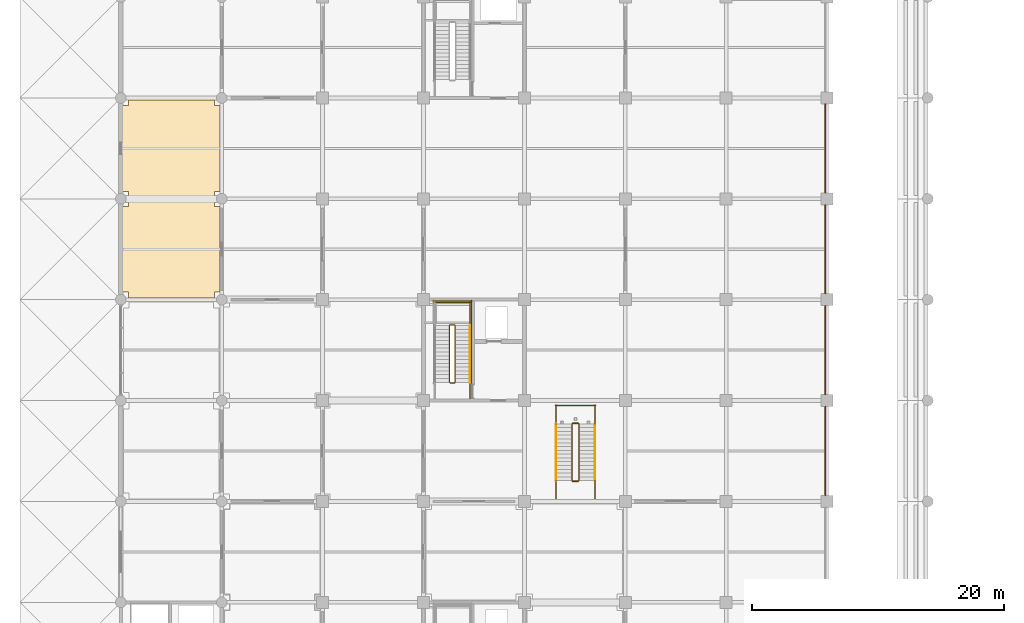
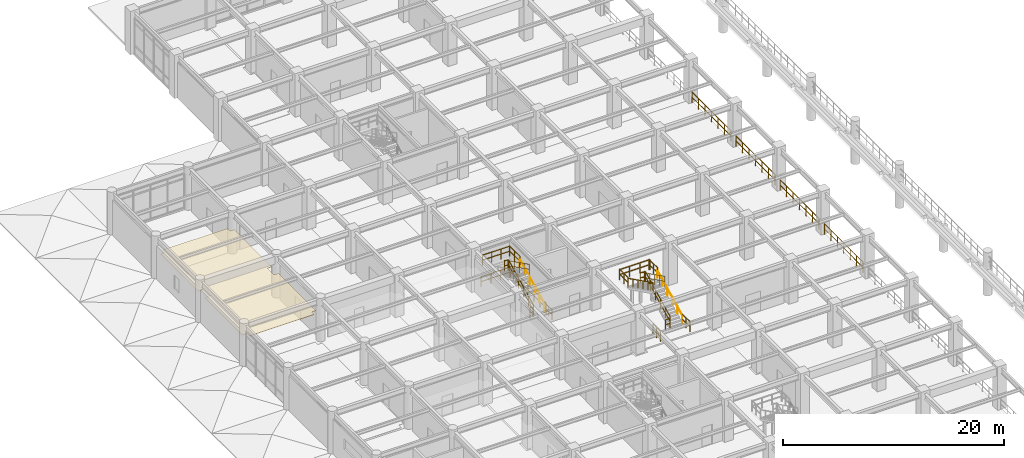
# One storey, part 98 of 109: 25 railings, 1 covering.
"""IFC4 building model written with IfcOpenShell, lengths in metres."""

from ifc_helpers import new_model, si_unit, direction, frame, origin, origin_2d, place, context, subcontext, project, spatial, polyline, circle, outline, extrude, material, layer, layer_set, type_object, element, save


model = new_model("IFC4")

# Units and contexts
model_context = context("Model", 3, precision=1e-05, world=origin(), true_north=direction((0.0, 1.0)))
body_context = subcontext(model_context, "Body", "Model", "MODEL_VIEW")
ifc_project = project(units=[si_unit("LENGTHUNIT", "METRE"), si_unit("AREAUNIT", "SQUARE_METRE"), si_unit("VOLUMEUNIT", "CUBIC_METRE"), si_unit("PLANEANGLEUNIT", "RADIAN"), si_unit("MASSUNIT", "GRAM", prefix="KILO")], contexts=[model_context])

# Site, building, storey
site_placement = place(None, origin())
site = spatial("IfcSite", under=ifc_project, at=site_placement, CompositionType="ELEMENT")
building_placement = place(site_placement, origin())
building = spatial("IfcBuilding", under=site, at=building_placement, Name="Haebicheon Civic Stadium", CompositionType="ELEMENT")
storey_placement = place(building_placement, frame((0.0, 0.0, 9.60009765625)))
storey = spatial("IfcBuildingStorey", under=building, at=storey_placement, Name="L03", CompositionType="ELEMENT", Elevation=9.60009765625)

# Covering
ifc_material_1 = material(Name="Perforated mineral-fibre acoustic board", Category="gypsum")
ifc_layer = layer(ifc_material_1, 0.0400390625, Name="Perforated mineral-fibre acoustic board")
ifc_layer_set = layer_set([ifc_layer], Name="Perforated mineral-fibre acoustic board")
covering_type = type_object("IfcCoveringType", Name="COV-CLG-AC", PredefinedType="CEILING", material=ifc_layer_set)
covering_placement = place(storey_placement, frame((0.0, 0.0, 2.809814453125)))
element("IfcCovering", 1, at=covering_placement, inside=storey, type_object=covering_type, material=ifc_layer_set, Name="L03 West Boulevard Viewing Gallery acoustic ceiling", PredefinedType="CEILING", context=body_context, shape_type="SweptSolid", body=[
    extrude(outline(polyline([(8.594970703125, 112.14501953125), (8.594970703125, 112.594970703125), (8.14501953125, 112.594970703125), (8.14501953125, 119.405029296875), (8.594970703125, 119.405029296875), (8.594970703125, 120.594970703125), (8.14501953125, 120.594970703125), (8.14501953125, 127.405029296875), (8.594970703125, 127.405029296875), (8.594970703125, 127.85498046875), (15.405029296875, 127.85498046875), (15.405029296875, 127.405029296875), (15.85498046875, 127.405029296875), (15.85498046875, 120.594970703125), (15.405029296875, 120.594970703125), (15.405029296875, 119.405029296875), (15.85498046875, 119.405029296875), (15.85498046875, 112.594970703125), (15.405029296875, 112.594970703125), (15.405029296875, 112.14501953125), (8.594970703125, 112.14501953125)])), origin(), (0.0, 0.0, 1.0), 0.0400390625),
])

# Railings
ifc_material_2 = material(Name="Stainless steel 316 and laminated glass", Category="steel")
railing_type_1 = type_object("IfcRailingType", Name="RL-BAL-1200", PredefinedType="BALUSTRADE", material=ifc_material_2)
for number, where, name in (
    (2, (63.860107421875, 96.47509765625, 0.0), "L03 concourse bowl-edge balustrade 049"),
    (3, (63.860107421875, 104.47509765625, 0.0), "L03 concourse bowl-edge balustrade 050"),
    (4, (63.860107421875, 112.47509765625, 0.0), "L03 concourse bowl-edge balustrade 051"),
    (5, (63.860107421875, 120.47509765625, 0.0), "L03 concourse bowl-edge balustrade 052"),
):
    element("IfcRailing", number, at=place(storey_placement, frame(where)), inside=storey, type_object=railing_type_1, material=ifc_material_2, Name=name, PredefinedType="BALUSTRADE", context=body_context, shape_type="SweptSolid", body=[
        extrude(circle(Radius=0.02392578125, at=origin_2d()), frame((0.0, 0.0, 1.17578125), z_axis=(0.0, 1.0, 0.0), x_axis=(-1.0, 0.0, 0.0)), (0.0, 0.0, 1.0), 7.0498046875),
        extrude(circle(Radius=0.02392578125, at=origin_2d()), frame((0.0, 0.0, 0.60009765625), z_axis=(0.0, 1.0, 0.0), x_axis=(-1.0, 0.0, 0.0)), (0.0, 0.0, 1.0), 7.0498046875),
        extrude(circle(Radius=0.02099609375, at=origin_2d()), origin(), (0.0, 0.0, 1.0), 1.15185546875),
        extrude(circle(Radius=0.02099609375, at=origin_2d()), frame((0.0, 1.175048828125, 0.0)), (0.0, 0.0, 1.0), 1.15185546875),
        extrude(circle(Radius=0.02099609375, at=origin_2d()), frame((0.0, 2.349853515625, 0.0)), (0.0, 0.0, 1.0), 1.15185546875),
        extrude(circle(Radius=0.02099609375, at=origin_2d()), frame((0.0, 3.52490234375, 0.0)), (0.0, 0.0, 1.0), 1.15185546875),
        extrude(circle(Radius=0.02099609375, at=origin_2d()), frame((0.0, 4.699951171875, 0.0)), (0.0, 0.0, 1.0), 1.15185546875),
        extrude(circle(Radius=0.02099609375, at=origin_2d()), frame((0.0, 5.874755859375, 0.0)), (0.0, 0.0, 1.0), 1.15185546875),
        extrude(circle(Radius=0.02099609375, at=origin_2d()), frame((0.0, 7.0498046875, 0.0)), (0.0, 0.0, 1.0), 1.15185546875),
    ])
ifc_material_3 = material(Name="Galvanised painted steel SM355", Category="steel")
railing_type_2 = type_object("IfcRailingType", Name="RL-GRD-1150", PredefinedType="GUARDRAIL", material=ifc_material_3)
railing_1_placement = place(storey_placement, frame((34.510009765625, 105.449951171875, 0.14990234375)))
element("IfcRailing", 6, at=railing_1_placement, inside=storey, type_object=railing_type_2, material=ifc_material_3, Name="L03 ST-04 stair guard 1", PredefinedType="GUARDRAIL", context=body_context, shape_type="SweptSolid", body=[
    extrude(circle(Radius=0.02392578125, at=origin_2d()), frame((0.0, 0.0, 1.1259765625), z_axis=(0.0, 0.894427191, 0.4472135955), x_axis=(-1.0, 0.0, 0.0)), (0.0, 0.0, 1.0), 5.03125),
    extrude(circle(Radius=0.02392578125, at=origin_2d()), frame((0.0, 0.0, 0.574951171875), z_axis=(0.0, 0.894427191, 0.4472135955), x_axis=(-1.0, 0.0, 0.0)), (0.0, 0.0, 1.0), 5.03125),
    extrude(circle(Radius=0.02099609375, at=origin_2d()), origin(), (0.0, 0.0, 1.0), 1.101806640625),
    extrude(circle(Radius=0.02099609375, at=origin_2d()), frame((0.0, 0.89990234375, 0.449951171875)), (0.0, 0.0, 1.0), 1.101806640625),
    extrude(circle(Radius=0.02099609375, at=origin_2d()), frame((0.0, 1.800048828125, 0.89990234375)), (0.0, 0.0, 1.0), 1.101806640625),
    extrude(circle(Radius=0.02099609375, at=origin_2d()), frame((0.0, 2.699951171875, 1.35009765625)), (0.0, 0.0, 1.0), 1.101806640625),
    extrude(circle(Radius=0.02099609375, at=origin_2d()), frame((0.0, 3.60009765625, 1.800048828125)), (0.0, 0.0, 1.0), 1.101806640625),
    extrude(circle(Radius=0.02099609375, at=origin_2d()), frame((0.0, 4.5, 2.25)), (0.0, 0.0, 1.0), 1.101806640625),
])
railing_2_placement = place(storey_placement, frame((34.4599609375, 110.0, 2.39990234375)))
element("IfcRailing", 7, at=railing_2_placement, inside=storey, type_object=railing_type_2, material=ifc_material_3, Name="L03 ST-04 stair guard 2", PredefinedType="GUARDRAIL", context=body_context, shape_type="SweptSolid", body=[
    extrude(circle(Radius=0.02392578125, at=origin_2d()), frame((0.0, 0.0, 1.1259765625), z_axis=(-1.0, 0.0, 0.0), x_axis=(0.0, -1.0, 0.0)), (0.0, 0.0, 1.0), 0.33984375),
    extrude(circle(Radius=0.02392578125, at=origin_2d()), frame((0.0, 0.0, 0.574951171875), z_axis=(-1.0, 0.0, 0.0), x_axis=(0.0, -1.0, 0.0)), (0.0, 0.0, 1.0), 0.33984375),
    extrude(circle(Radius=0.02099609375, at=origin_2d()), origin(), (0.0, 0.0, 1.0), 1.101806640625),
    extrude(circle(Radius=0.02099609375, at=origin_2d()), frame((-0.33984375, 0.0, 0.0)), (0.0, 0.0, 1.0), 1.101806640625),
])
railing_3_placement = place(storey_placement, frame((35.68994140625, 109.949951171875, 2.39990234375)))
element("IfcRailing", 8, at=railing_3_placement, inside=storey, type_object=railing_type_2, material=ifc_material_3, Name="L03 ST-04 stair guard 3", PredefinedType="GUARDRAIL", context=body_context, shape_type="SweptSolid", body=[
    extrude(circle(Radius=0.02392578125, at=origin_2d()), frame((0.0, 0.0, 1.1259765625), z_axis=(0.0, 1.0, 0.0), x_axis=(-1.0, 0.0, 0.0)), (0.0, 0.0, 1.0), 1.89013671875),
    extrude(circle(Radius=0.02392578125, at=origin_2d()), frame((0.0, 0.0, 0.574951171875), z_axis=(0.0, 1.0, 0.0), x_axis=(-1.0, 0.0, 0.0)), (0.0, 0.0, 1.0), 1.89013671875),
    extrude(circle(Radius=0.02099609375, at=origin_2d()), origin(), (0.0, 0.0, 1.0), 1.101806640625),
    extrude(circle(Radius=0.02099609375, at=origin_2d()), frame((0.0, 0.945068359375, 0.0)), (0.0, 0.0, 1.0), 1.101806640625),
    extrude(circle(Radius=0.02099609375, at=origin_2d()), frame((0.0, 1.89013671875, 0.0)), (0.0, 0.0, 1.0), 1.101806640625),
])
railing_4_placement = place(storey_placement, frame((35.739990234375, 111.7900390625, 2.39990234375)))
element("IfcRailing", 9, at=railing_4_placement, inside=storey, type_object=railing_type_2, material=ifc_material_3, Name="L03 ST-04 stair guard 5", PredefinedType="GUARDRAIL", context=body_context, shape_type="SweptSolid", body=[
    extrude(circle(Radius=0.02392578125, at=origin_2d()), frame((0.0, 0.0, 1.1259765625), z_axis=(-1.0, 0.0, 0.0), x_axis=(0.0, -1.0, 0.0)), (0.0, 0.0, 1.0), 2.89990234375),
    extrude(circle(Radius=0.02392578125, at=origin_2d()), frame((0.0, 0.0, 0.574951171875), z_axis=(-1.0, 0.0, 0.0), x_axis=(0.0, -1.0, 0.0)), (0.0, 0.0, 1.0), 2.89990234375),
    extrude(circle(Radius=0.02099609375, at=origin_2d()), origin(), (0.0, 0.0, 1.0), 1.101806640625),
    extrude(circle(Radius=0.02099609375, at=origin_2d()), frame((-0.966552734375, 0.0, 0.0)), (0.0, 0.0, 1.0), 1.101806640625),
    extrude(circle(Radius=0.02099609375, at=origin_2d()), frame((-1.933349609375, 0.0, 0.0)), (0.0, 0.0, 1.0), 1.101806640625),
    extrude(circle(Radius=0.02099609375, at=origin_2d()), frame((-2.89990234375, 0.0, 0.0)), (0.0, 0.0, 1.0), 1.101806640625),
])
railing_5_placement = place(storey_placement, frame((34.070068359375, 109.949951171875, 2.5498046875)))
element("IfcRailing", 10, at=railing_5_placement, inside=storey, type_object=railing_type_2, material=ifc_material_3, Name="L03 ST-04 stair guard 6", PredefinedType="GUARDRAIL", context=body_context, shape_type="SweptSolid", body=[
    extrude(circle(Radius=0.02392578125, at=origin_2d()), frame((0.0, 0.0, 1.1259765625), z_axis=(0.0, -0.894427191, 0.4472135955), x_axis=(1.0, 0.0, 0.0)), (0.0, 0.0, 1.0), 5.03125),
    extrude(circle(Radius=0.02392578125, at=origin_2d()), frame((0.0, 0.0, 0.574951171875), z_axis=(0.0, -0.894427191, 0.4472135955), x_axis=(1.0, 0.0, 0.0)), (0.0, 0.0, 1.0), 5.03125),
    extrude(circle(Radius=0.02099609375, at=origin_2d()), origin(), (0.0, 0.0, 1.0), 1.101806640625),
    extrude(circle(Radius=0.02099609375, at=origin_2d()), frame((0.0, -0.89990234375, 0.449951171875)), (0.0, 0.0, 1.0), 1.101806640625),
    extrude(circle(Radius=0.02099609375, at=origin_2d()), frame((0.0, -1.800048828125, 0.89990234375)), (0.0, 0.0, 1.0), 1.101806640625),
    extrude(circle(Radius=0.02099609375, at=origin_2d()), frame((0.0, -2.699951171875, 1.35009765625)), (0.0, 0.0, 1.0), 1.101806640625),
    extrude(circle(Radius=0.02099609375, at=origin_2d()), frame((0.0, -3.60009765625, 1.800048828125)), (0.0, 0.0, 1.0), 1.101806640625),
    extrude(circle(Radius=0.02099609375, at=origin_2d()), frame((0.0, -4.5, 2.25)), (0.0, 0.0, 1.0), 1.101806640625),
])
railing_6_placement = place(storey_placement, frame((34.4599609375, 105.39990234375, 0.0)))
element("IfcRailing", 11, at=railing_6_placement, inside=storey, type_object=railing_type_2, material=ifc_material_3, Name="L03 ST-04 stair guard 7", PredefinedType="GUARDRAIL", context=body_context, shape_type="SweptSolid", body=[
    extrude(circle(Radius=0.02392578125, at=origin_2d()), frame((0.0, 0.0, 1.1259765625), z_axis=(-1.0, 0.0, 0.0), x_axis=(0.0, -1.0, 0.0)), (0.0, 0.0, 1.0), 0.33984375),
    extrude(circle(Radius=0.02392578125, at=origin_2d()), frame((0.0, 0.0, 0.574951171875), z_axis=(-1.0, 0.0, 0.0), x_axis=(0.0, -1.0, 0.0)), (0.0, 0.0, 1.0), 0.33984375),
    extrude(circle(Radius=0.02099609375, at=origin_2d()), origin(), (0.0, 0.0, 1.0), 1.101806640625),
    extrude(circle(Radius=0.02099609375, at=origin_2d()), frame((-0.33984375, 0.0, 0.0)), (0.0, 0.0, 1.0), 1.101806640625),
])
railing_7_placement = place(storey_placement, frame((35.68994140625, 104.159912109375, 0.0)))
element("IfcRailing", 12, at=railing_7_placement, inside=storey, type_object=railing_type_2, material=ifc_material_3, Name="L03 ST-04 stair guard 8", PredefinedType="GUARDRAIL", context=body_context, shape_type="SweptSolid", body=[
    extrude(circle(Radius=0.02392578125, at=origin_2d()), frame((0.0, 0.0, 1.1259765625), z_axis=(0.0, 1.0, 0.0), x_axis=(-1.0, 0.0, 0.0)), (0.0, 0.0, 1.0), 1.2900390625),
    extrude(circle(Radius=0.02392578125, at=origin_2d()), frame((0.0, 0.0, 0.574951171875), z_axis=(0.0, 1.0, 0.0), x_axis=(-1.0, 0.0, 0.0)), (0.0, 0.0, 1.0), 1.2900390625),
    extrude(circle(Radius=0.02099609375, at=origin_2d()), origin(), (0.0, 0.0, 1.0), 1.101806640625),
    extrude(circle(Radius=0.02099609375, at=origin_2d()), frame((0.0, 0.64501953125, 0.0)), (0.0, 0.0, 1.0), 1.101806640625),
    extrude(circle(Radius=0.02099609375, at=origin_2d()), frame((0.0, 1.2900390625, 0.0)), (0.0, 0.0, 1.0), 1.101806640625),
])
railing_8_placement = place(storey_placement, frame((35.7900390625, 105.35009765625, 0.0)))
element("IfcRailing", 13, at=railing_8_placement, inside=storey, type_object=railing_type_2, material=ifc_material_3, Name="L03 ST-04 stair guard 10", PredefinedType="GUARDRAIL", context=body_context, shape_type="SweptSolid", body=[
    extrude(circle(Radius=0.02392578125, at=origin_2d()), frame((0.0, 0.0, 1.1259765625), z_axis=(0.0, 1.0, 0.0), x_axis=(-1.0, 0.0, 0.0)), (0.0, 0.0, 1.0), 6.58984375),
    extrude(circle(Radius=0.02392578125, at=origin_2d()), frame((0.0, 0.0, 0.574951171875), z_axis=(0.0, 1.0, 0.0), x_axis=(-1.0, 0.0, 0.0)), (0.0, 0.0, 1.0), 6.58984375),
    extrude(circle(Radius=0.02099609375, at=origin_2d()), origin(), (0.0, 0.0, 1.0), 1.101806640625),
    extrude(circle(Radius=0.02099609375, at=origin_2d()), frame((0.0, 1.098388671875, 0.0)), (0.0, 0.0, 1.0), 1.101806640625),
    extrude(circle(Radius=0.02099609375, at=origin_2d()), frame((0.0, 2.196533203125, 0.0)), (0.0, 0.0, 1.0), 1.101806640625),
    extrude(circle(Radius=0.02099609375, at=origin_2d()), frame((0.0, 3.294921875, 0.0)), (0.0, 0.0, 1.0), 1.101806640625),
    extrude(circle(Radius=0.02099609375, at=origin_2d()), frame((0.0, 4.393310546875, 0.0)), (0.0, 0.0, 1.0), 1.101806640625),
    extrude(circle(Radius=0.02099609375, at=origin_2d()), frame((0.0, 5.491455078125, 0.0)), (0.0, 0.0, 1.0), 1.101806640625),
    extrude(circle(Radius=0.02099609375, at=origin_2d()), frame((0.0, 6.58984375, 0.0)), (0.0, 0.0, 1.0), 1.101806640625),
])
railing_9_placement = place(storey_placement, frame((35.840087890625, 111.889892578125, 0.0)))
element("IfcRailing", 14, at=railing_9_placement, inside=storey, type_object=railing_type_2, material=ifc_material_3, Name="L03 ST-04 stair guard 12", PredefinedType="GUARDRAIL", context=body_context, shape_type="SweptSolid", body=[
    extrude(circle(Radius=0.02392578125, at=origin_2d()), frame((0.0, 0.0, 1.1259765625), z_axis=(-1.0, 0.0, 0.0), x_axis=(0.0, -1.0, 0.0)), (0.0, 0.0, 1.0), 3.10009765625),
    extrude(circle(Radius=0.02392578125, at=origin_2d()), frame((0.0, 0.0, 0.574951171875), z_axis=(-1.0, 0.0, 0.0), x_axis=(0.0, -1.0, 0.0)), (0.0, 0.0, 1.0), 3.10009765625),
    extrude(circle(Radius=0.02099609375, at=origin_2d()), origin(), (0.0, 0.0, 1.0), 1.101806640625),
    extrude(circle(Radius=0.02099609375, at=origin_2d()), frame((-1.033447265625, 0.0, 0.0)), (0.0, 0.0, 1.0), 1.101806640625),
    extrude(circle(Radius=0.02099609375, at=origin_2d()), frame((-2.066650390625, 0.0, 0.0)), (0.0, 0.0, 1.0), 1.101806640625),
    extrude(circle(Radius=0.02099609375, at=origin_2d()), frame((-3.10009765625, 0.0, 0.0)), (0.0, 0.0, 1.0), 1.101806640625),
])
railing_10_placement = place(storey_placement, frame((44.330078125, 97.64990234375, 0.14990234375)))
element("IfcRailing", 15, at=railing_10_placement, inside=storey, type_object=railing_type_2, material=ifc_material_3, Name="L03 VM-05 stair guard 1", PredefinedType="GUARDRAIL", context=body_context, shape_type="SweptSolid", body=[
    extrude(circle(Radius=0.02392578125, at=origin_2d()), frame((0.0, 0.0, 1.1259765625), z_axis=(0.0, 0.894427191, 0.4472135955), x_axis=(-1.0, 0.0, 0.0)), (0.0, 0.0, 1.0), 5.03125),
    extrude(circle(Radius=0.02392578125, at=origin_2d()), frame((0.0, 0.0, 0.574951171875), z_axis=(0.0, 0.894427191, 0.4472135955), x_axis=(-1.0, 0.0, 0.0)), (0.0, 0.0, 1.0), 5.03125),
    extrude(circle(Radius=0.02099609375, at=origin_2d()), origin(), (0.0, 0.0, 1.0), 1.101806640625),
    extrude(circle(Radius=0.02099609375, at=origin_2d()), frame((0.0, 0.89990234375, 0.449951171875)), (0.0, 0.0, 1.0), 1.101806640625),
    extrude(circle(Radius=0.02099609375, at=origin_2d()), frame((0.0, 1.800048828125, 0.89990234375)), (0.0, 0.0, 1.0), 1.101806640625),
    extrude(circle(Radius=0.02099609375, at=origin_2d()), frame((0.0, 2.699951171875, 1.35009765625)), (0.0, 0.0, 1.0), 1.101806640625),
    extrude(circle(Radius=0.02099609375, at=origin_2d()), frame((0.0, 3.60009765625, 1.800048828125)), (0.0, 0.0, 1.0), 1.101806640625),
    extrude(circle(Radius=0.02099609375, at=origin_2d()), frame((0.0, 4.5, 2.25)), (0.0, 0.0, 1.0), 1.101806640625),
])
railing_11_placement = place(storey_placement, frame((44.280029296875, 102.199951171875, 2.39990234375)))
element("IfcRailing", 16, at=railing_11_placement, inside=storey, type_object=railing_type_2, material=ifc_material_3, Name="L03 VM-05 stair guard 2", PredefinedType="GUARDRAIL", context=body_context, shape_type="SweptSolid", body=[
    extrude(circle(Radius=0.02392578125, at=origin_2d()), frame((0.0, 0.0, 1.1259765625), z_axis=(-1.0, 0.0, 0.0), x_axis=(0.0, -1.0, 0.0)), (0.0, 0.0, 1.0), 0.4599609375),
    extrude(circle(Radius=0.02392578125, at=origin_2d()), frame((0.0, 0.0, 0.574951171875), z_axis=(-1.0, 0.0, 0.0), x_axis=(0.0, -1.0, 0.0)), (0.0, 0.0, 1.0), 0.4599609375),
    extrude(circle(Radius=0.02099609375, at=origin_2d()), origin(), (0.0, 0.0, 1.0), 1.101806640625),
    extrude(circle(Radius=0.02099609375, at=origin_2d()), frame((-0.4599609375, 0.0, 0.0)), (0.0, 0.0, 1.0), 1.101806640625),
])
for number, where, name in (
    (17, (45.590087890625, 102.14990234375, 2.39990234375), "L03 VM-05 stair guard 3"),
    (18, (42.510009765625, 102.14990234375, 2.39990234375), "L03 VM-05 stair guard 4"),
):
    element("IfcRailing", number, at=place(storey_placement, frame(where)), inside=storey, type_object=railing_type_2, material=ifc_material_3, Name=name, PredefinedType="GUARDRAIL", context=body_context, shape_type="SweptSolid", body=[
        extrude(circle(Radius=0.02392578125, at=origin_2d()), frame((0.0, 0.0, 1.1259765625), z_axis=(0.0, 1.0, 0.0), x_axis=(-1.0, 0.0, 0.0)), (0.0, 0.0, 1.0), 1.5),
        extrude(circle(Radius=0.02392578125, at=origin_2d()), frame((0.0, 0.0, 0.574951171875), z_axis=(0.0, 1.0, 0.0), x_axis=(-1.0, 0.0, 0.0)), (0.0, 0.0, 1.0), 1.5),
        extrude(circle(Radius=0.02099609375, at=origin_2d()), origin(), (0.0, 0.0, 1.0), 1.101806640625),
        extrude(circle(Radius=0.02099609375, at=origin_2d()), frame((0.0, 0.75, 0.0)), (0.0, 0.0, 1.0), 1.101806640625),
        extrude(circle(Radius=0.02099609375, at=origin_2d()), frame((0.0, 1.5, 0.0)), (0.0, 0.0, 1.0), 1.101806640625),
    ])
railing_12_placement = place(storey_placement, frame((45.639892578125, 103.60009765625, 2.39990234375)))
element("IfcRailing", 19, at=railing_12_placement, inside=storey, type_object=railing_type_2, material=ifc_material_3, Name="L03 VM-05 stair guard 5", PredefinedType="GUARDRAIL", context=body_context, shape_type="SweptSolid", body=[
    extrude(circle(Radius=0.02392578125, at=origin_2d()), frame((0.0, 0.0, 1.1259765625), z_axis=(-1.0, 0.0, 0.0), x_axis=(0.0, -1.0, 0.0)), (0.0, 0.0, 1.0), 3.179931640625),
    extrude(circle(Radius=0.02392578125, at=origin_2d()), frame((0.0, 0.0, 0.574951171875), z_axis=(-1.0, 0.0, 0.0), x_axis=(0.0, -1.0, 0.0)), (0.0, 0.0, 1.0), 3.179931640625),
    extrude(circle(Radius=0.02099609375, at=origin_2d()), origin(), (0.0, 0.0, 1.0), 1.101806640625),
    extrude(circle(Radius=0.02099609375, at=origin_2d()), frame((-1.06005859375, 0.0, 0.0)), (0.0, 0.0, 1.0), 1.101806640625),
    extrude(circle(Radius=0.02099609375, at=origin_2d()), frame((-2.119873046875, 0.0, 0.0)), (0.0, 0.0, 1.0), 1.101806640625),
    extrude(circle(Radius=0.02099609375, at=origin_2d()), frame((-3.179931640625, 0.0, 0.0)), (0.0, 0.0, 1.0), 1.101806640625),
])
railing_13_placement = place(storey_placement, frame((43.77001953125, 102.14990234375, 2.5498046875)))
element("IfcRailing", 20, at=railing_13_placement, inside=storey, type_object=railing_type_2, material=ifc_material_3, Name="L03 VM-05 stair guard 6", PredefinedType="GUARDRAIL", context=body_context, shape_type="SweptSolid", body=[
    extrude(circle(Radius=0.02392578125, at=origin_2d()), frame((0.0, 0.0, 1.1259765625), z_axis=(0.0, -0.894427191, 0.4472135955), x_axis=(1.0, 0.0, 0.0)), (0.0, 0.0, 1.0), 5.03125),
    extrude(circle(Radius=0.02392578125, at=origin_2d()), frame((0.0, 0.0, 0.574951171875), z_axis=(0.0, -0.894427191, 0.4472135955), x_axis=(1.0, 0.0, 0.0)), (0.0, 0.0, 1.0), 5.03125),
    extrude(circle(Radius=0.02099609375, at=origin_2d()), origin(), (0.0, 0.0, 1.0), 1.101806640625),
    extrude(circle(Radius=0.02099609375, at=origin_2d()), frame((0.0, -0.89990234375, 0.449951171875)), (0.0, 0.0, 1.0), 1.101806640625),
    extrude(circle(Radius=0.02099609375, at=origin_2d()), frame((0.0, -1.800048828125, 0.89990234375)), (0.0, 0.0, 1.0), 1.101806640625),
    extrude(circle(Radius=0.02099609375, at=origin_2d()), frame((0.0, -2.699951171875, 1.35009765625)), (0.0, 0.0, 1.0), 1.101806640625),
    extrude(circle(Radius=0.02099609375, at=origin_2d()), frame((0.0, -3.60009765625, 1.800048828125)), (0.0, 0.0, 1.0), 1.101806640625),
    extrude(circle(Radius=0.02099609375, at=origin_2d()), frame((0.0, -4.5, 2.25)), (0.0, 0.0, 1.0), 1.101806640625),
])
railing_14_placement = place(storey_placement, frame((44.280029296875, 97.60009765625, 0.0)))
element("IfcRailing", 21, at=railing_14_placement, inside=storey, type_object=railing_type_2, material=ifc_material_3, Name="L03 VM-05 stair guard 7", PredefinedType="GUARDRAIL", context=body_context, shape_type="SweptSolid", body=[
    extrude(circle(Radius=0.02392578125, at=origin_2d()), frame((0.0, 0.0, 1.1259765625), z_axis=(-1.0, 0.0, 0.0), x_axis=(0.0, -1.0, 0.0)), (0.0, 0.0, 1.0), 0.4599609375),
    extrude(circle(Radius=0.02392578125, at=origin_2d()), frame((0.0, 0.0, 0.574951171875), z_axis=(-1.0, 0.0, 0.0), x_axis=(0.0, -1.0, 0.0)), (0.0, 0.0, 1.0), 0.4599609375),
    extrude(circle(Radius=0.02099609375, at=origin_2d()), origin(), (0.0, 0.0, 1.0), 1.101806640625),
    extrude(circle(Radius=0.02099609375, at=origin_2d()), frame((-0.4599609375, 0.0, 0.0)), (0.0, 0.0, 1.0), 1.101806640625),
])
for number, where, name in (
    (22, (45.590087890625, 96.25, 0.0), "L03 VM-05 stair guard 8"),
    (23, (42.510009765625, 96.25, 0.0), "L03 VM-05 stair guard 9"),
):
    element("IfcRailing", number, at=place(storey_placement, frame(where)), inside=storey, type_object=railing_type_2, material=ifc_material_3, Name=name, PredefinedType="GUARDRAIL", context=body_context, shape_type="SweptSolid", body=[
        extrude(circle(Radius=0.02392578125, at=origin_2d()), frame((0.0, 0.0, 1.1259765625), z_axis=(0.0, 1.0, 0.0), x_axis=(-1.0, 0.0, 0.0)), (0.0, 0.0, 1.0), 1.39990234375),
        extrude(circle(Radius=0.02392578125, at=origin_2d()), frame((0.0, 0.0, 0.574951171875), z_axis=(0.0, 1.0, 0.0), x_axis=(-1.0, 0.0, 0.0)), (0.0, 0.0, 1.0), 1.39990234375),
        extrude(circle(Radius=0.02099609375, at=origin_2d()), origin(), (0.0, 0.0, 1.0), 1.101806640625),
        extrude(circle(Radius=0.02099609375, at=origin_2d()), frame((0.0, 0.699951171875, 0.0)), (0.0, 0.0, 1.0), 1.101806640625),
        extrude(circle(Radius=0.02099609375, at=origin_2d()), frame((0.0, 1.39990234375, 0.0)), (0.0, 0.0, 1.0), 1.101806640625),
    ])
ifc_material_4 = material(Name="Stainless steel 316", Category="steel")
railing_type_3 = type_object("IfcRailingType", Name="RL-HND-900", PredefinedType="HANDRAIL", material=ifc_material_4)
for number, where, name in (
    (24, (35.68994140625, 105.449951171875, 0.14990234375), "L03 ST-04 stair handrail 1"),
    (25, (45.590087890625, 97.64990234375, 0.14990234375), "L03 VM-05 stair handrail 1"),
):
    element("IfcRailing", number, at=place(storey_placement, frame(where)), inside=storey, type_object=railing_type_3, material=ifc_material_4, Name=name, PredefinedType="HANDRAIL", context=body_context, shape_type="SweptSolid", body=[
        extrude(circle(Radius=0.02392578125, at=origin_2d()), frame((0.0, 0.0, 0.8759765625), z_axis=(0.0, 0.894427191, 0.4472135955), x_axis=(-1.0, 0.0, 0.0)), (0.0, 0.0, 1.0), 5.03125),
        extrude(circle(Radius=0.02099609375, at=origin_2d()), origin(), (0.0, 0.0, 1.0), 0.851806640625),
        extrude(circle(Radius=0.02099609375, at=origin_2d()), frame((0.0, 0.89990234375, 0.449951171875)), (0.0, 0.0, 1.0), 0.851806640625),
        extrude(circle(Radius=0.02099609375, at=origin_2d()), frame((0.0, 1.800048828125, 0.89990234375)), (0.0, 0.0, 1.0), 0.851806640625),
        extrude(circle(Radius=0.02099609375, at=origin_2d()), frame((0.0, 2.699951171875, 1.35009765625)), (0.0, 0.0, 1.0), 0.851806640625),
        extrude(circle(Radius=0.02099609375, at=origin_2d()), frame((0.0, 3.60009765625, 1.800048828125)), (0.0, 0.0, 1.0), 0.851806640625),
        extrude(circle(Radius=0.02099609375, at=origin_2d()), frame((0.0, 4.5, 2.25)), (0.0, 0.0, 1.0), 0.851806640625),
    ])
railing_15_placement = place(storey_placement, frame((42.510009765625, 102.14990234375, 2.5498046875)))
element("IfcRailing", 26, at=railing_15_placement, inside=storey, type_object=railing_type_3, material=ifc_material_4, Name="L03 VM-05 stair handrail 2", PredefinedType="HANDRAIL", context=body_context, shape_type="SweptSolid", body=[
    extrude(circle(Radius=0.02392578125, at=origin_2d()), frame((0.0, 0.0, 0.8759765625), z_axis=(0.0, -0.894427191, 0.4472135955), x_axis=(1.0, 0.0, 0.0)), (0.0, 0.0, 1.0), 5.03125),
    extrude(circle(Radius=0.02099609375, at=origin_2d()), origin(), (0.0, 0.0, 1.0), 0.851806640625),
    extrude(circle(Radius=0.02099609375, at=origin_2d()), frame((0.0, -0.89990234375, 0.449951171875)), (0.0, 0.0, 1.0), 0.851806640625),
    extrude(circle(Radius=0.02099609375, at=origin_2d()), frame((0.0, -1.800048828125, 0.89990234375)), (0.0, 0.0, 1.0), 0.851806640625),
    extrude(circle(Radius=0.02099609375, at=origin_2d()), frame((0.0, -2.699951171875, 1.35009765625)), (0.0, 0.0, 1.0), 0.851806640625),
    extrude(circle(Radius=0.02099609375, at=origin_2d()), frame((0.0, -3.60009765625, 1.800048828125)), (0.0, 0.0, 1.0), 0.851806640625),
    extrude(circle(Radius=0.02099609375, at=origin_2d()), frame((0.0, -4.5, 2.25)), (0.0, 0.0, 1.0), 0.851806640625),
])

save(model, "model.ifc")
